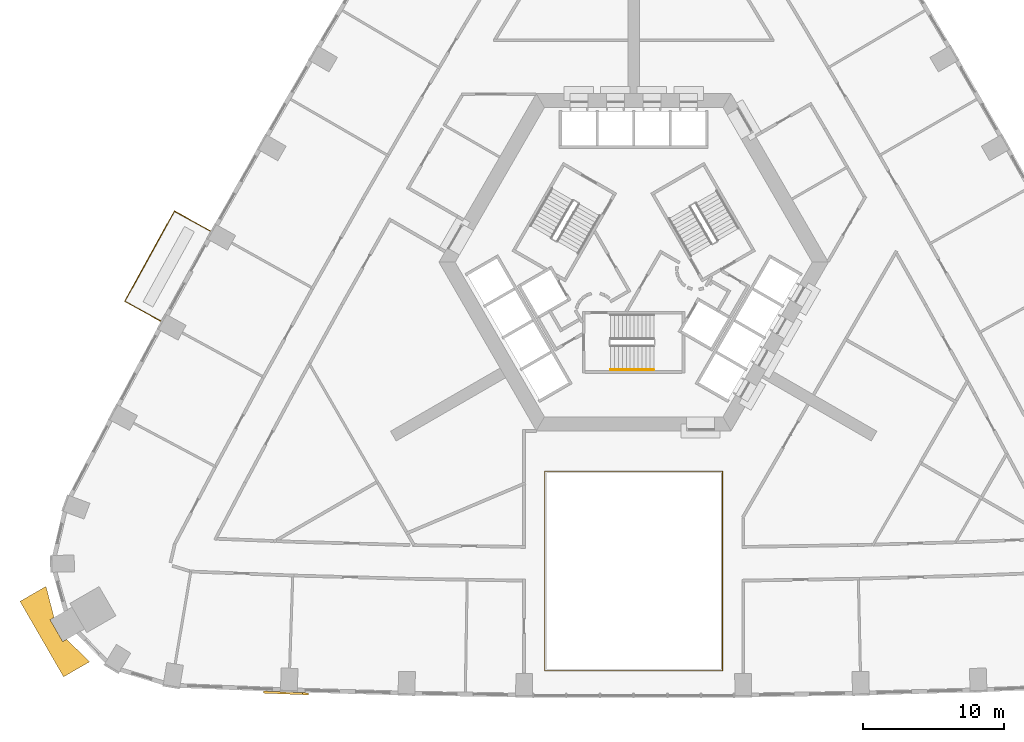
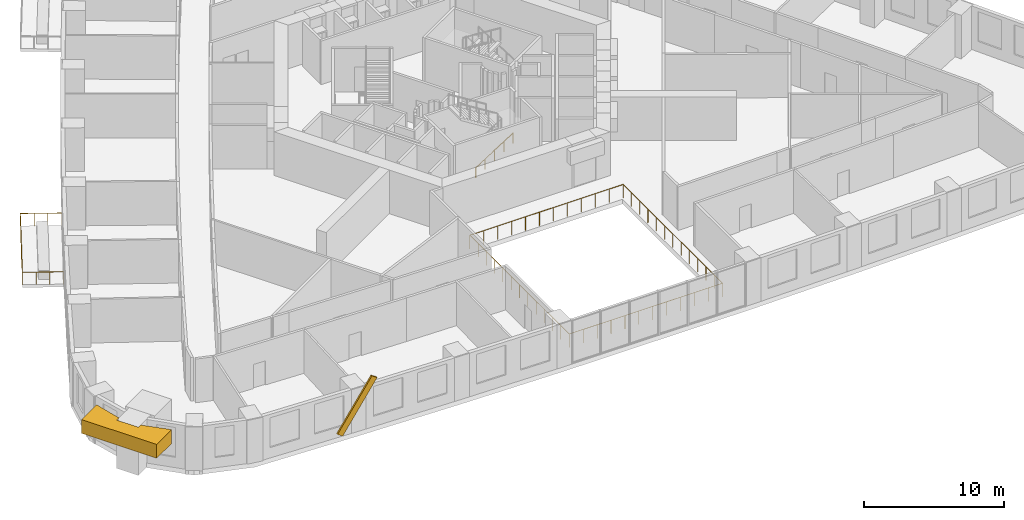
# One storey, part 14 of 16: 3 railings, 1 covering, 1 shading device.
"""IFC4 building model written with IfcOpenShell, lengths in metres."""

import ifcopenshell
import ifcopenshell.guid

model = None  # the IFC model being written
_history = None  # IfcOwnerHistory: only IFC2X3 demands one
_inside = {}  # id of a spatial element -> (the spatial element, [elements in it])
_under = {}  # id of a project, library or spatial element -> (it, [spatial elements below it])
_declared = {}  # id of a project -> (the project, [libraries it declares])
_typed = {}  # id of a type object -> (the type object, [elements of that type])
_made_of = {}  # id of a material, layer set ... -> (it, [elements and type objects made of it])


def new_model(schema):
    """Start an empty IFC model of exactly this schema.

    Asked for "IFC4X3", IfcOpenShell would pick the latest addendum, in which some entities
    have other attributes; the version numbers below select the first issue.
    IFC2X3 requires an IfcOwnerHistory on every rooted entity: one is made here for all.
    """
    global model, _history
    if schema == "IFC4X3":
        model = ifcopenshell.file(schema_version=(4, 3, 0, 0))
    else:
        model = ifcopenshell.file(schema=schema)
    _inside.clear()
    _under.clear()
    _declared.clear()
    _typed.clear()
    _made_of.clear()
    _history = None
    if model.schema == "IFC2X3":
        org = make("IfcOrganization", Name="unknown")
        user = make(
            "IfcPersonAndOrganization",
            ThePerson=make("IfcPerson", FamilyName="unknown"),
            TheOrganization=org,
        )
        app = make(
            "IfcApplication",
            ApplicationDeveloper=org,
            Version="unknown",
            ApplicationFullName="unknown",
            ApplicationIdentifier="unknown",
        )
        _history = make(
            "IfcOwnerHistory",
            OwningUser=user,
            OwningApplication=app,
            ChangeAction="ADDED",
            CreationDate=0,
        )
    return model


def make(cls, **values):
    """One entity of the class cls with the attributes given. An attribute that is None is left unset."""
    return model.create_entity(
        cls, **{name: value for name, value in values.items() if value is not None}
    )


def rooted(cls, **values):
    """An entity with a GlobalId (a new one), such as an element, a storey or a relation."""
    return make(cls, GlobalId=ifcopenshell.guid.new(), OwnerHistory=_history, **values)


def si_unit(unit_type, name, prefix=None):
    """IfcSIUnit, for example si_unit("LENGTHUNIT", "METRE", prefix="MILLI")."""
    return make("IfcSIUnit", UnitType=unit_type, Prefix=prefix, Name=name)


def assignment(units):
    """IfcUnitAssignment: the units of a project."""
    return None if units is None else make("IfcUnitAssignment", Units=units)


def point(xyz):
    """IfcCartesianPoint."""
    return None if xyz is None else make("IfcCartesianPoint", Coordinates=xyz)


def direction(xyz):
    """IfcDirection."""
    return None if xyz is None else make("IfcDirection", DirectionRatios=xyz)


def frame(location, z_axis=None, x_axis=None):
    """IfcAxis2Placement3D, a coordinate frame: its origin and axes. An axis left out is left unset."""
    return make(
        "IfcAxis2Placement3D",
        Location=point(location),
        Axis=direction(z_axis),
        RefDirection=direction(x_axis),
    )


def frame_2d(location, x_axis=None):
    """IfcAxis2Placement2D, a coordinate frame in the plane: its origin and x axis."""
    return make(
        "IfcAxis2Placement2D", Location=point(location), RefDirection=direction(x_axis)
    )


def origin():
    """The frame at (0, 0, 0) with its axes left unset."""
    return frame((0.0, 0.0, 0.0))


def origin_2d():
    """The frame at (0, 0) in the plane with its x axis left unset."""
    return frame_2d((0.0, 0.0))


def place(relative_to, where):
    """IfcLocalPlacement: puts the frame where relative to a parent placement (None: the world)."""
    return make(
        "IfcLocalPlacement", PlacementRelTo=relative_to, RelativePlacement=where
    )


def context(
    kind, dimensions, precision=None, world=None, true_north=None, identifier=None
):
    """IfcGeometricRepresentationContext, for example the 3D "Model" context."""
    return make(
        "IfcGeometricRepresentationContext",
        ContextIdentifier=identifier,
        ContextType=kind,
        CoordinateSpaceDimension=dimensions,
        Precision=precision,
        WorldCoordinateSystem=world,
        TrueNorth=true_north,
    )


def subcontext(parent, identifier, kind, view, scale=None):
    """IfcGeometricRepresentationSubContext, for example "Body" below "Model"."""
    return make(
        "IfcGeometricRepresentationSubContext",
        ContextIdentifier=identifier,
        ContextType=kind,
        ParentContext=parent,
        TargetScale=scale,
        TargetView=view,
    )


def project(units=None, contexts=None):
    """IfcProject with its units and contexts."""
    return rooted(
        "IfcProject",
        Name="project",
        RepresentationContexts=contexts,
        UnitsInContext=assignment(units),
    )


def spatial(cls, under=None, at=None, **own):
    """A site, building, storey or space (cls), placed at a placement, below another one or the project."""
    s = rooted(cls, ObjectPlacement=at, **own)
    if under is not None:
        _under.setdefault(under.id(), (under, []))[1].append(s)
    return s


def polyline(points):
    """IfcPolyline through the points."""
    return make("IfcPolyline", Points=[point(p) for p in points])


def profile(cls, at=None, kind="AREA", **sizes):
    """A parametric profile (cls). Its sizes go by their IFC names, for example OverallWidth=200.0."""
    return make(cls, ProfileType=kind, Position=at, **sizes)


def rectangle(**sizes):
    """IfcRectangleProfileDef."""
    return profile("IfcRectangleProfileDef", **sizes)


def circle(**sizes):
    """IfcCircleProfileDef."""
    return profile("IfcCircleProfileDef", **sizes)


def outline(outer, holes=None, kind="AREA"):
    """IfcArbitraryClosedProfileDef: a profile drawn as a closed curve; with holes, ...WithVoids."""
    if holes is None:
        return make("IfcArbitraryClosedProfileDef", ProfileType=kind, OuterCurve=outer)
    return make(
        "IfcArbitraryProfileDefWithVoids",
        ProfileType=kind,
        OuterCurve=outer,
        InnerCurves=holes,
    )


def extrude(swept, where, along, depth):
    """IfcExtrudedAreaSolid: the profile swept, set in the frame where, extruded along a direction by depth."""
    return make(
        "IfcExtrudedAreaSolid",
        SweptArea=swept,
        Position=where,
        ExtrudedDirection=direction(along),
        Depth=depth,
    )


def shape(context_of_items, identifier, shape_type, items):
    """IfcShapeRepresentation: the items that make up one representation, for example the "Body"."""
    return make(
        "IfcShapeRepresentation",
        ContextOfItems=context_of_items,
        RepresentationIdentifier=identifier,
        RepresentationType=shape_type,
        Items=items,
    )


def material(Name=None, Category=None):
    """IfcMaterial."""
    return make("IfcMaterial", Name=Name, Category=Category)


def material_profile(
    of_material, cross_section, Name=None, Category=None, Priority=None
):
    """IfcMaterialProfile: a cross section and its material."""
    return make(
        "IfcMaterialProfile",
        Name=Name,
        Material=of_material,
        Profile=cross_section,
        Priority=Priority,
        Category=Category,
    )


def profile_set(profiles, Name=None, composite=None):
    """IfcMaterialProfileSet."""
    return make(
        "IfcMaterialProfileSet",
        Name=Name,
        MaterialProfiles=profiles,
        CompositeProfile=composite,
    )


def made_of(thing, what):
    """Note that an element or type object is made of a material, layer set ...; save() writes the relation."""
    if what is not None:
        _made_of.setdefault(what.id(), (what, []))[1].append(thing)
    return thing


def type_object(cls, material=None, **own):
    """A type object (cls), such as IfcWallType, which elements share."""
    return made_of(rooted(cls, **own), material)


def element(
    cls,
    number,
    at=None,
    inside=None,
    cuts=None,
    type_object=None,
    material=None,
    context=None,
    identifier="Body",
    shape_type=None,
    held_by="IfcProductDefinitionShape",
    body=None,
    shapes=None,
    **own,
):
    """One element of the class cls, such as IfcWall. Its Tag is "e" and its number.

    at: its placement. inside: the storey or other place that contains it. cuts: it is an
    opening in that element (IfcRelVoidsElement). A single representation is given by context,
    identifier, shape_type and body (its items); several are given by shapes. held_by: the class
    of the entity that holds the representations. save() writes the other relations.
    """
    e = rooted(cls, Tag="e%d" % number, ObjectPlacement=at, **own)
    if body is not None:
        shapes = [shape(context, identifier, shape_type, body)]
    if shapes is not None:
        e.Representation = make(held_by, Representations=shapes)
    if inside is not None:
        _inside.setdefault(inside.id(), (inside, []))[1].append(e)
    if cuts is not None:
        rooted(
            "IfcRelVoidsElement", RelatingBuildingElement=cuts, RelatedOpeningElement=e
        )
    if type_object is not None:
        _typed.setdefault(type_object.id(), (type_object, []))[1].append(e)
    return made_of(e, material)


def aggregate(whole, parts):
    """IfcRelAggregates: a whole, such as a stair, and the parts it consists of."""
    return rooted("IfcRelAggregates", RelatingObject=whole, RelatedObjects=parts)


def save(model, path):
    """Write the relations noted so far, then the file.

    IfcRelAggregates (storeys below a building ...), IfcRelContainedInSpatialStructure (elements
    in a storey), IfcRelDefinesByType, IfcRelAssociatesMaterial and IfcRelDeclares: one each for
    every whole, place, type object, material and project.
    """
    for whole, parts in _under.values():
        aggregate(whole, parts)
    for where, things in _inside.values():
        rooted(
            "IfcRelContainedInSpatialStructure",
            RelatedElements=things,
            RelatingStructure=where,
        )
    for kind, things in _typed.values():
        rooted("IfcRelDefinesByType", RelatedObjects=things, RelatingType=kind)
    for what, things in _made_of.values():
        rooted("IfcRelAssociatesMaterial", RelatedObjects=things, RelatingMaterial=what)
    for by, libraries in _declared.values():
        rooted("IfcRelDeclares", RelatingContext=by, RelatedDefinitions=libraries)
    model.write(path)


model = new_model("IFC4")

# Units and contexts
model_context = context("Model", 3, precision=1e-05, world=origin(), true_north=direction((0.0, 1.0)))
body_context = subcontext(model_context, "Body", "Model", "MODEL_VIEW")
ifc_project = project(units=[si_unit("LENGTHUNIT", "METRE"), si_unit("AREAUNIT", "SQUARE_METRE"), si_unit("VOLUMEUNIT", "CUBIC_METRE"), si_unit("PLANEANGLEUNIT", "RADIAN"), si_unit("MASSUNIT", "GRAM", prefix="KILO")], contexts=[model_context])

# Site, building, storey
site_placement = place(None, origin())
site = spatial("IfcSite", under=ifc_project, at=site_placement, CompositionType="ELEMENT")
building_placement = place(site_placement, origin())
building = spatial("IfcBuilding", under=site, at=building_placement, Name="Entoto Arch Interchange Tower", CompositionType="ELEMENT")
storey_placement = place(building_placement, frame((0.0, 0.0, 43.39990234375)))
storey = spatial("IfcBuildingStorey", under=building, at=storey_placement, Name="L08", CompositionType="ELEMENT", Elevation=43.39990234375)

# Railing
ifc_material_1 = material(Name="Stainless steel 1.4301", Category="steel")
railing_type_1 = type_object("IfcRailingType", Name="ATRIUM GUARD 1200 STEEL AND GLASS", PredefinedType="GUARDRAIL", material=ifc_material_1)
railing_1_placement = place(storey_placement, frame((6.320068359375, -26.577880859375, 0.0)))
element("IfcRailing", 1, at=railing_1_placement, inside=storey, type_object=railing_type_1, Name="Atrium guard L08", PredefinedType="GUARDRAIL", context=body_context, shape_type="SweptSolid", body=[
    extrude(circle(Radius=0.02392578125, at=origin_2d()), frame((0.0, 0.0, 1.17578125), z_axis=(-1.0, 0.0, 0.0), x_axis=(0.0, -1.0, 0.0)), (0.0, 0.0, 1.0), 12.64013671875),
    extrude(circle(Radius=0.02392578125, at=origin_2d()), frame((-12.64013671875, 0.0, 1.17578125), z_axis=(0.0, 1.0, 0.0), x_axis=(-1.0, 0.0, 0.0)), (0.0, 0.0, 1.0), 14.197998046875),
    extrude(circle(Radius=0.02392578125, at=origin_2d()), frame((-12.64013671875, 14.197998046875, 1.17578125), z_axis=(1.0, 0.0, 0.0), x_axis=(0.0, 1.0, 0.0)), (0.0, 0.0, 1.0), 12.64013671875),
    extrude(circle(Radius=0.02392578125, at=origin_2d()), frame((0.0, 14.197998046875, 1.17578125), z_axis=(0.0, -1.0, 0.0), x_axis=(1.0, 0.0, 0.0)), (0.0, 0.0, 1.0), 14.197998046875),
    extrude(circle(Radius=0.02099609375, at=origin_2d()), origin(), (0.0, 0.0, 1.0), 1.15185546875),
    extrude(circle(Radius=0.02099609375, at=origin_2d()), frame((-1.149169921875, 0.0, 0.0)), (0.0, 0.0, 1.0), 1.15185546875),
    extrude(circle(Radius=0.02099609375, at=origin_2d()), frame((-2.298095703125, 0.0, 0.0)), (0.0, 0.0, 1.0), 1.15185546875),
    extrude(circle(Radius=0.02099609375, at=origin_2d()), frame((-3.447265625, 0.0, 0.0)), (0.0, 0.0, 1.0), 1.15185546875),
    extrude(circle(Radius=0.02099609375, at=origin_2d()), frame((-4.596435546875, 0.0, 0.0)), (0.0, 0.0, 1.0), 1.15185546875),
    extrude(circle(Radius=0.02099609375, at=origin_2d()), frame((-5.74560546875, 0.0, 0.0)), (0.0, 0.0, 1.0), 1.15185546875),
    extrude(circle(Radius=0.02099609375, at=origin_2d()), frame((-6.89453125, 0.0, 0.0)), (0.0, 0.0, 1.0), 1.15185546875),
    extrude(circle(Radius=0.02099609375, at=origin_2d()), frame((-8.043701171875, 0.0, 0.0)), (0.0, 0.0, 1.0), 1.15185546875),
    extrude(circle(Radius=0.02099609375, at=origin_2d()), frame((-9.19287109375, 0.0, 0.0)), (0.0, 0.0, 1.0), 1.15185546875),
    extrude(circle(Radius=0.02099609375, at=origin_2d()), frame((-10.342041015625, 0.0, 0.0)), (0.0, 0.0, 1.0), 1.15185546875),
    extrude(circle(Radius=0.02099609375, at=origin_2d()), frame((-11.490966796875, 0.0, 0.0)), (0.0, 0.0, 1.0), 1.15185546875),
    extrude(circle(Radius=0.02099609375, at=origin_2d()), frame((-12.64013671875, 0.0, 0.0)), (0.0, 0.0, 1.0), 1.15185546875),
    extrude(circle(Radius=0.02099609375, at=origin_2d()), frame((-12.64013671875, 1.18310546875, 0.0)), (0.0, 0.0, 1.0), 1.15185546875),
    extrude(circle(Radius=0.02099609375, at=origin_2d()), frame((-12.64013671875, 2.3662109375, 0.0)), (0.0, 0.0, 1.0), 1.15185546875),
    extrude(circle(Radius=0.02099609375, at=origin_2d()), frame((-12.64013671875, 3.549560546875, 0.0)), (0.0, 0.0, 1.0), 1.15185546875),
    extrude(circle(Radius=0.02099609375, at=origin_2d()), frame((-12.64013671875, 4.732666015625, 0.0)), (0.0, 0.0, 1.0), 1.15185546875),
    extrude(circle(Radius=0.02099609375, at=origin_2d()), frame((-12.64013671875, 5.915771484375, 0.0)), (0.0, 0.0, 1.0), 1.15185546875),
    extrude(circle(Radius=0.02099609375, at=origin_2d()), frame((-12.64013671875, 7.09912109375, 0.0)), (0.0, 0.0, 1.0), 1.15185546875),
    extrude(circle(Radius=0.02099609375, at=origin_2d()), frame((-12.64013671875, 8.2822265625, 0.0)), (0.0, 0.0, 1.0), 1.15185546875),
    extrude(circle(Radius=0.02099609375, at=origin_2d()), frame((-12.64013671875, 9.46533203125, 0.0)), (0.0, 0.0, 1.0), 1.15185546875),
    extrude(circle(Radius=0.02099609375, at=origin_2d()), frame((-12.64013671875, 10.6484375, 0.0)), (0.0, 0.0, 1.0), 1.15185546875),
    extrude(circle(Radius=0.02099609375, at=origin_2d()), frame((-12.64013671875, 11.83154296875, 0.0)), (0.0, 0.0, 1.0), 1.15185546875),
    extrude(circle(Radius=0.02099609375, at=origin_2d()), frame((-12.64013671875, 13.014892578125, 0.0)), (0.0, 0.0, 1.0), 1.15185546875),
    extrude(circle(Radius=0.02099609375, at=origin_2d()), frame((-12.64013671875, 14.197998046875, 0.0)), (0.0, 0.0, 1.0), 1.15185546875),
    extrude(circle(Radius=0.02099609375, at=origin_2d()), frame((-11.490966796875, 14.197998046875, 0.0)), (0.0, 0.0, 1.0), 1.15185546875),
    extrude(circle(Radius=0.02099609375, at=origin_2d()), frame((-10.342041015625, 14.197998046875, 0.0)), (0.0, 0.0, 1.0), 1.15185546875),
    extrude(circle(Radius=0.02099609375, at=origin_2d()), frame((-9.19287109375, 14.197998046875, 0.0)), (0.0, 0.0, 1.0), 1.15185546875),
    extrude(circle(Radius=0.02099609375, at=origin_2d()), frame((-8.043701171875, 14.197998046875, 0.0)), (0.0, 0.0, 1.0), 1.15185546875),
    extrude(circle(Radius=0.02099609375, at=origin_2d()), frame((-6.89453125, 14.197998046875, 0.0)), (0.0, 0.0, 1.0), 1.15185546875),
    extrude(circle(Radius=0.02099609375, at=origin_2d()), frame((-5.74560546875, 14.197998046875, 0.0)), (0.0, 0.0, 1.0), 1.15185546875),
    extrude(circle(Radius=0.02099609375, at=origin_2d()), frame((-4.596435546875, 14.197998046875, 0.0)), (0.0, 0.0, 1.0), 1.15185546875),
    extrude(circle(Radius=0.02099609375, at=origin_2d()), frame((-3.447265625, 14.197998046875, 0.0)), (0.0, 0.0, 1.0), 1.15185546875),
    extrude(circle(Radius=0.02099609375, at=origin_2d()), frame((-2.298095703125, 14.197998046875, 0.0)), (0.0, 0.0, 1.0), 1.15185546875),
    extrude(circle(Radius=0.02099609375, at=origin_2d()), frame((-1.149169921875, 14.197998046875, 0.0)), (0.0, 0.0, 1.0), 1.15185546875),
    extrude(circle(Radius=0.02099609375, at=origin_2d()), frame((0.0, 14.197998046875, 0.0)), (0.0, 0.0, 1.0), 1.15185546875),
    extrude(circle(Radius=0.02099609375, at=origin_2d()), frame((0.0, 13.014892578125, 0.0)), (0.0, 0.0, 1.0), 1.15185546875),
    extrude(circle(Radius=0.02099609375, at=origin_2d()), frame((0.0, 11.83154296875, 0.0)), (0.0, 0.0, 1.0), 1.15185546875),
    extrude(circle(Radius=0.02099609375, at=origin_2d()), frame((0.0, 10.6484375, 0.0)), (0.0, 0.0, 1.0), 1.15185546875),
    extrude(circle(Radius=0.02099609375, at=origin_2d()), frame((0.0, 9.46533203125, 0.0)), (0.0, 0.0, 1.0), 1.15185546875),
    extrude(circle(Radius=0.02099609375, at=origin_2d()), frame((0.0, 8.2822265625, 0.0)), (0.0, 0.0, 1.0), 1.15185546875),
    extrude(circle(Radius=0.02099609375, at=origin_2d()), frame((0.0, 7.09912109375, 0.0)), (0.0, 0.0, 1.0), 1.15185546875),
    extrude(circle(Radius=0.02099609375, at=origin_2d()), frame((0.0, 5.915771484375, 0.0)), (0.0, 0.0, 1.0), 1.15185546875),
    extrude(circle(Radius=0.02099609375, at=origin_2d()), frame((0.0, 4.732666015625, 0.0)), (0.0, 0.0, 1.0), 1.15185546875),
    extrude(circle(Radius=0.02099609375, at=origin_2d()), frame((0.0, 3.549560546875, 0.0)), (0.0, 0.0, 1.0), 1.15185546875),
    extrude(circle(Radius=0.02099609375, at=origin_2d()), frame((0.0, 2.3662109375, 0.0)), (0.0, 0.0, 1.0), 1.15185546875),
    extrude(circle(Radius=0.02099609375, at=origin_2d()), frame((0.0, 1.18310546875, 0.0)), (0.0, 0.0, 1.0), 1.15185546875),
])

# Shading device
ifc_material_2 = material(Name="Board-marked precast concrete C50/60", Category="concrete")
ifc_material_profile = material_profile(ifc_material_2, rectangle(XDim=0.14990234375, YDim=0.5, at=origin_2d()))
ifc_profile_set = profile_set([ifc_material_profile], Name="Board-marked precast concrete C50/60")
shading_device_type = type_object("IfcShadingDeviceType", Name="FOLD BAND PRECAST 150x500", PredefinedType="USERDEFINED", material=ifc_profile_set)
shading_device_placement = place(storey_placement, frame((-26.1220703125, -28.10009765625, 0.25), z_axis=(0.550421257953, -0.021636513401, 0.834606673878), x_axis=(0.039278672629, 0.999228295174, 0.0)))
element("IfcShadingDevice", 2, at=shading_device_placement, inside=storey, type_object=shading_device_type, Name="Fold band L08", ObjectType="FOLD BAND", PredefinedType="USERDEFINED", context=body_context, shape_type="SweptSolid", body=[
    extrude(rectangle(XDim=0.14990234375, YDim=0.5, at=origin_2d()), origin(), (0.0, 0.0, 1.0), 5.032470703125),
])

# Railing
railing_type_2 = type_object("IfcRailingType", Name="GUARD 1100 STEEL AND GLASS", PredefinedType="GUARDRAIL", material=ifc_material_1)
railing_2_placement = place(storey_placement, frame((-30.096923828125, 4.705078125, 0.0)))
element("IfcRailing", 3, at=railing_2_placement, inside=storey, type_object=railing_type_2, Name="Balcony guard NW-07 L08", PredefinedType="GUARDRAIL", context=body_context, shape_type="SweptSolid", body=[
    extrude(circle(Radius=0.02392578125, at=origin_2d()), frame((0.0, 0.0, 1.076171875), z_axis=(-0.875838256619, 0.482604753647, 0.0), x_axis=(-0.482604753647, -0.875838256619, 0.0)), (0.0, 0.0, 1.0), 2.9501953125),
    extrude(circle(Radius=0.02392578125, at=origin_2d()), frame((-2.583984375, 1.423828125, 1.076171875), z_axis=(-0.482568179416, -0.875858408771, 0.0), x_axis=(0.875858408771, -0.482568179416, 0.0)), (0.0, 0.0, 1.0), 7.315185546875),
    extrude(circle(Radius=0.02392578125, at=origin_2d()), frame((-6.114013671875, -4.983154296875, 1.076171875), z_axis=(0.875838256619, -0.482604753647, 0.0), x_axis=(0.482604753647, 0.875838256619, 0.0)), (0.0, 0.0, 1.0), 2.9501953125),
    extrude(circle(Radius=0.02099609375, at=origin_2d()), origin(), (0.0, 0.0, 1.0), 1.052001953125),
    extrude(circle(Radius=0.02099609375, at=origin_2d()), frame((-0.861328125, 0.474609375, 0.0)), (0.0, 0.0, 1.0), 1.052001953125),
    extrude(circle(Radius=0.02099609375, at=origin_2d()), frame((-1.72265625, 0.94921875, 0.0)), (0.0, 0.0, 1.0), 1.052001953125),
    extrude(circle(Radius=0.02099609375, at=origin_2d()), frame((-2.583984375, 1.423828125, 0.0)), (0.0, 0.0, 1.0), 1.052001953125),
    extrude(circle(Radius=0.02099609375, at=origin_2d()), frame((-3.08837890625, 0.508544921875, 0.0)), (0.0, 0.0, 1.0), 1.052001953125),
    extrude(circle(Radius=0.02099609375, at=origin_2d()), frame((-3.592529296875, -0.40673828125, 0.0)), (0.0, 0.0, 1.0), 1.052001953125),
    extrude(circle(Radius=0.02099609375, at=origin_2d()), frame((-4.096923828125, -1.322021484375, 0.0)), (0.0, 0.0, 1.0), 1.052001953125),
    extrude(circle(Radius=0.02099609375, at=origin_2d()), frame((-4.60107421875, -2.2373046875, 0.0)), (0.0, 0.0, 1.0), 1.052001953125),
    extrude(circle(Radius=0.02099609375, at=origin_2d()), frame((-5.10546875, -3.152587890625, 0.0)), (0.0, 0.0, 1.0), 1.052001953125),
    extrude(circle(Radius=0.02099609375, at=origin_2d()), frame((-5.609619140625, -4.06787109375, 0.0)), (0.0, 0.0, 1.0), 1.052001953125),
    extrude(circle(Radius=0.02099609375, at=origin_2d()), frame((-6.114013671875, -4.983154296875, 0.0)), (0.0, 0.0, 1.0), 1.052001953125),
    extrude(circle(Radius=0.02099609375, at=origin_2d()), frame((-5.252685546875, -5.457763671875, 0.0)), (0.0, 0.0, 1.0), 1.052001953125),
    extrude(circle(Radius=0.02099609375, at=origin_2d()), frame((-4.391357421875, -5.932373046875, 0.0)), (0.0, 0.0, 1.0), 1.052001953125),
    extrude(circle(Radius=0.02099609375, at=origin_2d()), frame((-3.530029296875, -6.406982421875, 0.0)), (0.0, 0.0, 1.0), 1.052001953125),
])

# Covering
covering_type = type_object("IfcCoveringType", Name="PRECAST FRAME COURSE", PredefinedType="CLADDING", material=ifc_material_2)
covering_placement = place(storey_placement, frame((0.0, 0.0, 2.60009765625)))
element("IfcCovering", 4, at=covering_placement, inside=storey, type_object=covering_type, Name="Corner pilaster head SW L06-L08", PredefinedType="CLADDING", context=body_context, shape_type="SweptSolid", body=[
    extrude(outline(polyline([(-40.568115234375, -27.001953125), (-43.66796875, -21.632080078125), (-41.818115234375, -20.56396484375), (-41.2470703125, -22.77490234375), (-41.528076171875, -22.93798828125), (-40.6279296875, -24.49609375), (-40.346923828125, -24.333984375), (-38.718017578125, -25.93408203125), (-40.568115234375, -27.001953125)])), origin(), (0.0, 0.0, 1.0), 1.199951171875),
])

# Railing
railing_type_3 = type_object("IfcRailingType", Name="STAIR HANDRAIL 900 STEEL", PredefinedType="HANDRAIL", material=ifc_material_1)
railing_3_placement = place(storey_placement, frame((-1.64990234375, -5.14990234375, 0.175048828125)))
element("IfcRailing", 5, at=railing_3_placement, inside=storey, type_object=railing_type_3, Name="L08 ST-S stair handrail 1", PredefinedType="HANDRAIL", context=body_context, shape_type="SweptSolid", body=[
    extrude(circle(Radius=0.02392578125, at=origin_2d()), frame((0.0, 0.0, 0.8759765625), z_axis=(0.847979421464, 0.0, 0.530029150871), x_axis=(0.0, 1.0, 0.0)), (0.0, 0.0, 1.0), 3.632080078125),
    extrude(circle(Radius=0.02099609375, at=origin_2d()), origin(), (0.0, 0.0, 1.0), 0.851806640625),
    extrude(circle(Radius=0.02099609375, at=origin_2d()), frame((0.77001953125, 0.0, 0.481201171875)), (0.0, 0.0, 1.0), 0.851806640625),
    extrude(circle(Radius=0.02099609375, at=origin_2d()), frame((1.5400390625, 0.0, 0.96240234375)), (0.0, 0.0, 1.0), 0.851806640625),
    extrude(circle(Radius=0.02099609375, at=origin_2d()), frame((2.309814453125, 0.0, 1.44384765625)), (0.0, 0.0, 1.0), 0.851806640625),
    extrude(circle(Radius=0.02099609375, at=origin_2d()), frame((3.079833984375, 0.0, 1.925048828125)), (0.0, 0.0, 1.0), 0.851806640625),
])

save(model, "model.ifc")
